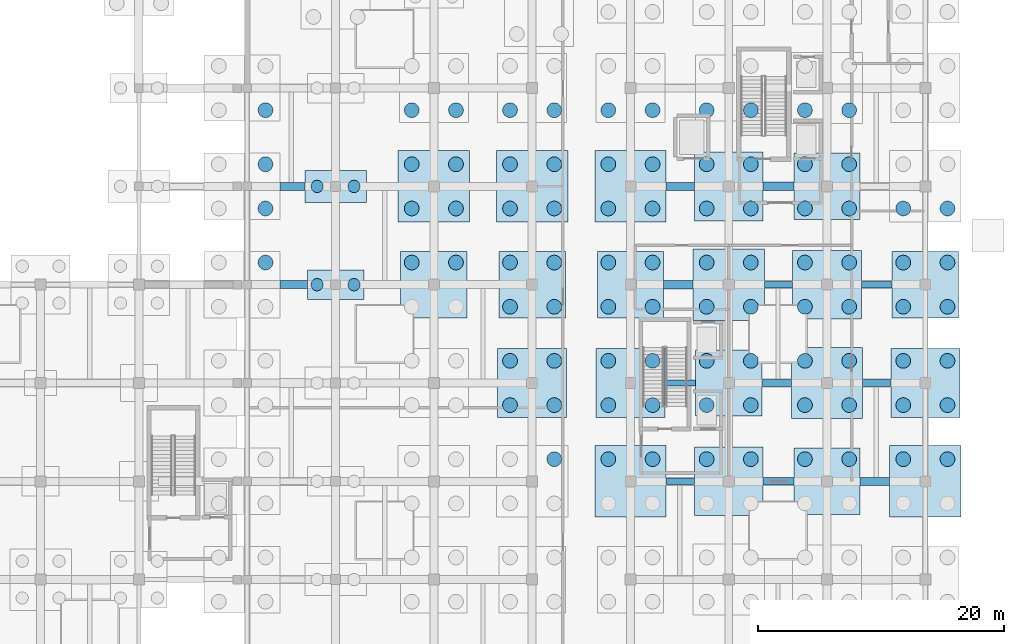
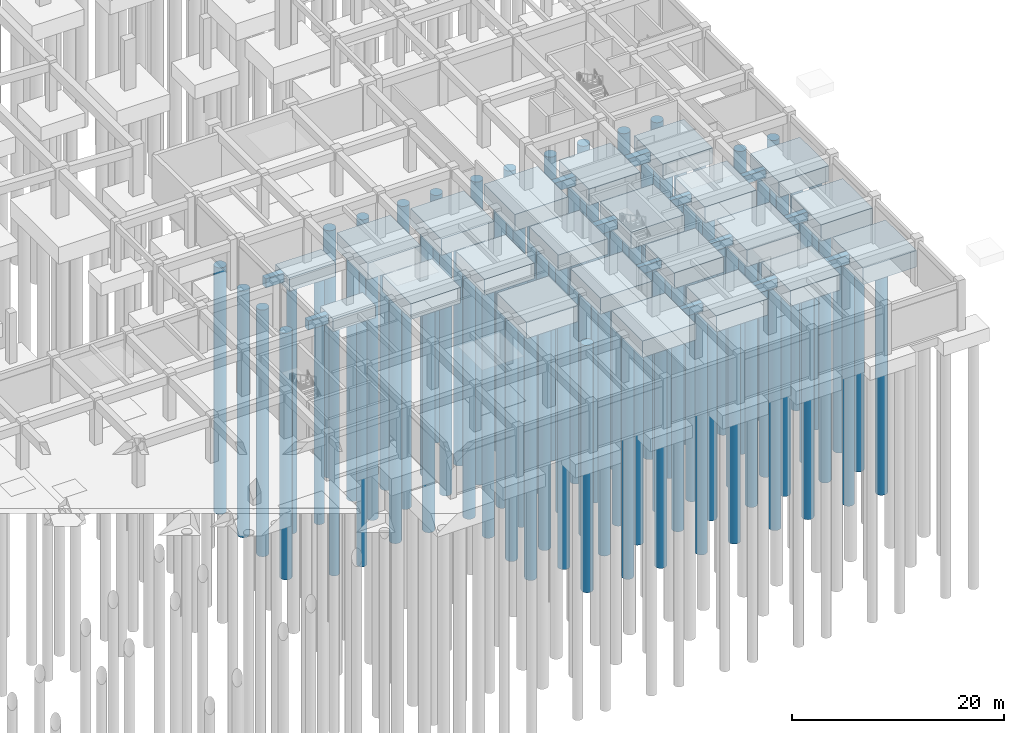
# One storey, part 7 of 45: 91 piles, 35 footings.
"""IFC4 building model written with IfcOpenShell, lengths in metres."""

from ifc_helpers import new_model, si_unit, direction, frame, origin, origin_2d, place, context, subcontext, project, spatial, rectangle, circle, extrude, material, material_profile, profile_set, type_object, element, save


model = new_model("IFC4")

# Units and contexts
model_context = context("Model", 3, precision=1e-05, world=origin(), true_north=direction((0.0, 1.0)))
body_context = subcontext(model_context, "Body", "Model", "MODEL_VIEW")
ifc_project = project(units=[si_unit("LENGTHUNIT", "METRE"), si_unit("AREAUNIT", "SQUARE_METRE"), si_unit("VOLUMEUNIT", "CUBIC_METRE"), si_unit("PLANEANGLEUNIT", "RADIAN"), si_unit("MASSUNIT", "GRAM", prefix="KILO")], contexts=[model_context])

# Site, building, storey
site_placement = place(None, origin())
site = spatial("IfcSite", under=ifc_project, at=site_placement, CompositionType="ELEMENT")
building_placement = place(site_placement, origin())
building = spatial("IfcBuilding", under=site, at=building_placement, Name="Kenh Van Central Station", CompositionType="ELEMENT")
storey_placement = place(building_placement, frame((0.0, 0.0, -5.39990234375)))
storey = spatial("IfcBuildingStorey", under=building, at=storey_placement, Name="B1", CompositionType="ELEMENT", Elevation=-5.39990234375)

# Footings
ifc_material = material(Name="Concrete C40/50", Category="concrete")
ifc_material_profile_1 = material_profile(ifc_material, rectangle(XDim=0.5, YDim=0.89990234375, at=origin_2d()), Name="RC 500x900")
ifc_profile_set_1 = profile_set([ifc_material_profile_1], Name="Concrete C40/50")
footing_type_1 = type_object("IfcFootingType", Name="FBM-500x900", PredefinedType="FOOTING_BEAM", material=ifc_profile_set_1)
footing_1_placement = place(storey_placement, frame((154.800048828125, 32.0, -0.85009765625), z_axis=(1.0, 0.0, 0.0), x_axis=(0.0, 1.0, 0.0)))
element("IfcFooting", 1, at=footing_1_placement, inside=storey, type_object=footing_type_1, Name="Ground tie beam 104", PredefinedType="FOOTING_BEAM", context=body_context, shape_type="SweptSolid", body=[
    extrude(rectangle(XDim=0.5, YDim=0.89990234375, at=origin_2d()), origin(), (0.0, 0.0, 1.0), 2.5),
])
footing_2_placement = place(storey_placement, frame((162.89990234375, 40.0, -0.85009765625), z_axis=(1.0, 0.0, 0.0), x_axis=(0.0, 1.0, 0.0)))
element("IfcFooting", 2, at=footing_2_placement, inside=storey, type_object=footing_type_1, Name="Ground tie beam 114", PredefinedType="FOOTING_BEAM", context=body_context, shape_type="SweptSolid", body=[
    extrude(rectangle(XDim=0.5, YDim=0.89990234375, at=origin_2d()), origin(), (0.0, 0.0, 1.0), 2.300048828125),
])
ifc_material_profile_2 = material_profile(ifc_material, rectangle(XDim=0.550048828125, YDim=0.949951171875, at=origin_2d()), Name="RC 550x950")
ifc_profile_set_2 = profile_set([ifc_material_profile_2], Name="Concrete C40/50")
footing_type_2 = type_object("IfcFootingType", Name="FBM-550x950", PredefinedType="FOOTING_BEAM", material=ifc_profile_set_2)
footing_3_placement = place(storey_placement, frame((154.89990234375, 24.0, -0.875), z_axis=(1.0, 0.0, 0.0), x_axis=(0.0, 1.0, 0.0)))
element("IfcFooting", 3, at=footing_3_placement, inside=storey, type_object=footing_type_2, Name="Ground tie beam 103", PredefinedType="FOOTING_BEAM", context=body_context, shape_type="SweptSolid", body=[
    extrude(rectangle(XDim=0.550048828125, YDim=0.949951171875, at=origin_2d()), origin(), (0.0, 0.0, 1.0), 2.300048828125),
])
footing_4_placement = place(storey_placement, frame((162.699951171875, 32.0, -0.875), z_axis=(1.0, 0.0, 0.0), x_axis=(0.0, 1.0, 0.0)))
element("IfcFooting", 4, at=footing_4_placement, inside=storey, type_object=footing_type_2, Name="Ground tie beam 113", PredefinedType="FOOTING_BEAM", context=body_context, shape_type="SweptSolid", body=[
    extrude(rectangle(XDim=0.550048828125, YDim=0.949951171875, at=origin_2d()), origin(), (0.0, 0.0, 1.0), 2.400146484375),
])
footing_5_placement = place(storey_placement, frame((170.800048828125, 40.0, -0.875), z_axis=(1.0, 0.0, 0.0), x_axis=(0.0, 1.0, 0.0)))
element("IfcFooting", 5, at=footing_5_placement, inside=storey, type_object=footing_type_2, Name="Ground tie beam 123", PredefinedType="FOOTING_BEAM", context=body_context, shape_type="SweptSolid", body=[
    extrude(rectangle(XDim=0.550048828125, YDim=0.949951171875, at=origin_2d()), origin(), (0.0, 0.0, 1.0), 2.5),
])
ifc_material_profile_3 = material_profile(ifc_material, rectangle(XDim=0.60009765625, YDim=1.0, at=origin_2d()), Name="RC 600x1000")
ifc_profile_set_3 = profile_set([ifc_material_profile_3], Name="Concrete C40/50")
footing_type_3 = type_object("IfcFootingType", Name="FBM-600x1000", PredefinedType="FOOTING_BEAM", material=ifc_profile_set_3)
footing_6_placement = place(storey_placement, frame((162.800048828125, 24.0, -0.900146484375), z_axis=(1.0, 0.0, 0.0), x_axis=(0.0, 1.0, 0.0)))
element("IfcFooting", 6, at=footing_6_placement, inside=storey, type_object=footing_type_3, Name="Ground tie beam 112", PredefinedType="FOOTING_BEAM", context=body_context, shape_type="SweptSolid", body=[
    extrude(rectangle(XDim=0.60009765625, YDim=1.0, at=origin_2d()), origin(), (0.0, 0.0, 1.0), 2.5),
])
footing_7_placement = place(storey_placement, frame((170.89990234375, 32.0, -0.900146484375), z_axis=(1.0, 0.0, 0.0), x_axis=(0.0, 1.0, 0.0)))
element("IfcFooting", 7, at=footing_7_placement, inside=storey, type_object=footing_type_3, Name="Ground tie beam 122", PredefinedType="FOOTING_BEAM", context=body_context, shape_type="SweptSolid", body=[
    extrude(rectangle(XDim=0.60009765625, YDim=1.0, at=origin_2d()), origin(), (0.0, 0.0, 1.0), 2.300048828125),
])
ifc_material_profile_4 = material_profile(ifc_material, rectangle(XDim=0.64990234375, YDim=1.050048828125, at=origin_2d()), Name="RC 650x1050")
ifc_profile_set_4 = profile_set([ifc_material_profile_4], Name="Concrete C40/50")
footing_type_4 = type_object("IfcFootingType", Name="FBM-650x1050", PredefinedType="FOOTING_BEAM", material=ifc_profile_set_4)
footing_8_placement = place(storey_placement, frame((123.5, 40.0, -0.925048828125), z_axis=(1.0, 0.0, 0.0), x_axis=(0.0, 1.0, 0.0)))
element("IfcFooting", 8, at=footing_8_placement, inside=storey, type_object=footing_type_4, Name="Ground tie beam 086", PredefinedType="FOOTING_BEAM", context=body_context, shape_type="SweptSolid", body=[
    extrude(rectangle(XDim=0.64990234375, YDim=1.050048828125, at=origin_2d()), origin(), (0.0, 0.0, 1.0), 2.199951171875),
])
footing_9_placement = place(storey_placement, frame((123.5, 48.0, -0.925048828125), z_axis=(1.0, 0.0, 0.0), x_axis=(0.0, 1.0, 0.0)))
element("IfcFooting", 9, at=footing_9_placement, inside=storey, type_object=footing_type_4, Name="Ground tie beam 091", PredefinedType="FOOTING_BEAM", context=body_context, shape_type="SweptSolid", body=[
    extrude(rectangle(XDim=0.64990234375, YDim=1.050048828125, at=origin_2d()), origin(), (0.0, 0.0, 1.0), 2.0),
])
footing_10_placement = place(storey_placement, frame((154.89990234375, 48.0, -0.925048828125), z_axis=(1.0, 0.0, 0.0), x_axis=(0.0, 1.0, 0.0)))
element("IfcFooting", 10, at=footing_10_placement, inside=storey, type_object=footing_type_4, Name="Ground tie beam 106", PredefinedType="FOOTING_BEAM", context=body_context, shape_type="SweptSolid", body=[
    extrude(rectangle(XDim=0.64990234375, YDim=1.050048828125, at=origin_2d()), origin(), (0.0, 0.0, 1.0), 2.300048828125),
])
footing_11_placement = place(storey_placement, frame((170.699951171875, 24.0, -0.925048828125), z_axis=(1.0, 0.0, 0.0), x_axis=(0.0, 1.0, 0.0)))
element("IfcFooting", 11, at=footing_11_placement, inside=storey, type_object=footing_type_4, Name="Ground tie beam 121", PredefinedType="FOOTING_BEAM", context=body_context, shape_type="SweptSolid", body=[
    extrude(rectangle(XDim=0.64990234375, YDim=1.050048828125, at=origin_2d()), origin(), (0.0, 0.0, 1.0), 2.400146484375),
])
ifc_material_profile_5 = material_profile(ifc_material, rectangle(XDim=0.699951171875, YDim=1.14990234375, at=origin_2d()), Name="RC 700x1150")
ifc_profile_set_5 = profile_set([ifc_material_profile_5], Name="Concrete C40/50")
footing_type_5 = type_object("IfcFootingType", Name="FBM-700x1150", PredefinedType="FOOTING_BEAM", material=ifc_profile_set_5)
footing_12_placement = place(storey_placement, frame((154.699951171875, 40.0, -0.97509765625), z_axis=(1.0, 0.0, 0.0), x_axis=(0.0, 1.0, 0.0)))
element("IfcFooting", 12, at=footing_12_placement, inside=storey, type_object=footing_type_5, Name="Ground tie beam 105", PredefinedType="FOOTING_BEAM", context=body_context, shape_type="SweptSolid", body=[
    extrude(rectangle(XDim=0.699951171875, YDim=1.14990234375, at=origin_2d()), origin(), (0.0, 0.0, 1.0), 2.400146484375),
])
footing_13_placement = place(storey_placement, frame((162.800048828125, 48.0, -0.97509765625), z_axis=(1.0, 0.0, 0.0), x_axis=(0.0, 1.0, 0.0)))
element("IfcFooting", 13, at=footing_13_placement, inside=storey, type_object=footing_type_5, Name="Ground tie beam 115", PredefinedType="FOOTING_BEAM", context=body_context, shape_type="SweptSolid", body=[
    extrude(rectangle(XDim=0.699951171875, YDim=1.14990234375, at=origin_2d()), origin(), (0.0, 0.0, 1.0), 2.5),
])
footing_type_6 = type_object("IfcFootingType", Name="FCAP-2P-4600x2400x1450", PredefinedType="PILE_CAP", material=ifc_material)
footing_14_placement = place(storey_placement, frame((128.0, 40.0, -1.85009765625), z_axis=(0.0, 0.0, 1.0), x_axis=(1.0, 0.0, 0.0)))
element("IfcFooting", 14, at=footing_14_placement, inside=storey, type_object=footing_type_6, Name="Foundation FDN-195", PredefinedType="PILE_CAP", context=body_context, shape_type="SweptSolid", body=[
    extrude(rectangle(XDim=4.60009765625, YDim=2.39990234375, at=origin_2d()), origin(), (0.0, 0.0, 1.0), 1.449951171875),
])
footing_type_7 = type_object("IfcFootingType", Name="FCAP-2P-5000x2600x1550", PredefinedType="PILE_CAP", material=ifc_material)
footing_15_placement = place(storey_placement, frame((128.0, 48.0, -1.9501953125), z_axis=(0.0, 0.0, 1.0), x_axis=(1.0, 0.0, 0.0)))
element("IfcFooting", 15, at=footing_15_placement, inside=storey, type_object=footing_type_7, Name="Foundation FDN-196", PredefinedType="PILE_CAP", context=body_context, shape_type="SweptSolid", body=[
    extrude(rectangle(XDim=5.0, YDim=2.60009765625, at=origin_2d()), origin(), (0.0, 0.0, 1.0), 1.550048828125),
])
footing_type_8 = type_object("IfcFootingType", Name="FCAP-4P-5400x5400x1800", PredefinedType="PILE_CAP", material=ifc_material)
for number, where, z_axis, x_axis, name in (
    (16, (136.0, 40.0, -2.2001953125), (0.0, 0.0, 1.0), (1.0, 0.0, 0.0), "Foundation FDN-202"),
    (17, (144.0, 40.0, -2.2001953125), (0.0, 0.0, 1.0), (1.0, 0.0, 0.0), "Foundation FDN-209"),
    (18, (152.0, 40.0, -2.2001953125), (0.0, 0.0, 1.0), (1.0, 0.0, 0.0), "Foundation FDN-216"),
    (19, (160.0, 32.0, -2.2001953125), (0.0, 0.0, 1.0), (1.0, 0.0, 0.0), "Foundation FDN-223"),
    (20, (168.0, 24.0, -2.2001953125), (0.0, 0.0, 1.0), (1.0, 0.0, 0.0), "Foundation FDN-230"),
    (21, (168.0, 48.0, -2.2001953125), (0.0, 0.0, 1.0), (1.0, 0.0, 0.0), "Foundation FDN-233"),
    (22, (176.0, 40.0, -2.2001953125), (0.0, 0.0, 1.0), (1.0, 0.0, 0.0), "Foundation FDN-240"),
):
    element("IfcFooting", number, at=place(storey_placement, frame(where, z_axis=z_axis, x_axis=x_axis)), inside=storey, type_object=footing_type_8, Name=name, PredefinedType="PILE_CAP", context=body_context, shape_type="SweptSolid", body=[
        extrude(rectangle(XDim=5.39990234375, YDim=5.39990234375, at=origin_2d()), origin(), (0.0, 0.0, 1.0), 1.800048828125),
    ])
footing_type_9 = type_object("IfcFootingType", Name="FCAP-4P-5600x5600x1850", PredefinedType="PILE_CAP", material=ifc_material)
for number, where, z_axis, x_axis, name in (
    (23, (144.0, 32.0, -2.250244140625), (0.0, 0.0, 1.0), (1.0, 0.0, 0.0), "Foundation FDN-208"),
    (24, (152.0, 32.0, -2.250244140625), (0.0, 0.0, 1.0), (1.0, 0.0, 0.0), "Foundation FDN-215"),
    (25, (160.0, 24.0, -2.250244140625), (0.0, 0.0, 1.0), (1.0, 0.0, 0.0), "Foundation FDN-222"),
    (26, (160.0, 48.0, -2.250244140625), (0.0, 0.0, 1.0), (1.0, 0.0, 0.0), "Foundation FDN-225"),
    (27, (168.0, 40.0, -2.250244140625), (0.0, 0.0, 1.0), (1.0, 0.0, 0.0), "Foundation FDN-232"),
    (28, (176.0, 32.0, -2.250244140625), (0.0, 0.0, 1.0), (1.0, 0.0, 0.0), "Foundation FDN-239"),
):
    element("IfcFooting", number, at=place(storey_placement, frame(where, z_axis=z_axis, x_axis=x_axis)), inside=storey, type_object=footing_type_9, Name=name, PredefinedType="PILE_CAP", context=body_context, shape_type="SweptSolid", body=[
        extrude(rectangle(XDim=5.60009765625, YDim=5.60009765625, at=origin_2d()), origin(), (0.0, 0.0, 1.0), 1.85009765625),
    ])
footing_type_10 = type_object("IfcFootingType", Name="FCAP-4P-5800x5800x1900", PredefinedType="PILE_CAP", material=ifc_material)
for number, where, z_axis, x_axis, name in (
    (29, (136.0, 48.0, -2.300048828125), (0.0, 0.0, 1.0), (1.0, 0.0, 0.0), "Foundation FDN-203"),
    (30, (144.0, 48.0, -2.300048828125), (0.0, 0.0, 1.0), (1.0, 0.0, 0.0), "Foundation FDN-210"),
    (31, (152.0, 24.0, -2.300048828125), (0.0, 0.0, 1.0), (1.0, 0.0, 0.0), "Foundation FDN-214"),
    (32, (152.0, 48.0, -2.300048828125), (0.0, 0.0, 1.0), (1.0, 0.0, 0.0), "Foundation FDN-217"),
    (33, (160.0, 40.0, -2.300048828125), (0.0, 0.0, 1.0), (1.0, 0.0, 0.0), "Foundation FDN-224"),
    (34, (168.0, 32.0, -2.300048828125), (0.0, 0.0, 1.0), (1.0, 0.0, 0.0), "Foundation FDN-231"),
    (35, (176.0, 24.0, -2.300048828125), (0.0, 0.0, 1.0), (1.0, 0.0, 0.0), "Foundation FDN-238"),
):
    element("IfcFooting", number, at=place(storey_placement, frame(where, z_axis=z_axis, x_axis=x_axis)), inside=storey, type_object=footing_type_10, Name=name, PredefinedType="PILE_CAP", context=body_context, shape_type="SweptSolid", body=[
        extrude(rectangle(XDim=5.800048828125, YDim=5.800048828125, at=origin_2d()), origin(), (0.0, 0.0, 1.0), 1.89990234375),
    ])

# Piles
ifc_material_profile_6 = material_profile(ifc_material, circle(Radius=0.5, at=origin_2d()), Name="PILE D1000")
ifc_profile_set_6 = profile_set([ifc_material_profile_6], Name="Concrete C40/50")
pile_type_1 = type_object("IfcPileType", Name="PILE-BORED-1000", PredefinedType="BORED", material=ifc_profile_set_6)
for number, where, z_axis, x_axis, name in (
    (36, (126.5, 40.0, -1.75), (0.0, 0.0, -1.0), (1.0, 0.0, 0.0), "Bored pile 0458"),
    (37, (129.5, 40.0, -1.75), (0.0, 0.0, -1.0), (1.0, 0.0, 0.0), "Bored pile 0459"),
):
    element("IfcPile", number, at=place(storey_placement, frame(where, z_axis=z_axis, x_axis=x_axis)), inside=storey, type_object=pile_type_1, Name=name, PredefinedType="BORED", context=body_context, shape_type="SweptSolid", body=[
        extrude(circle(Radius=0.5, at=origin_2d()), origin(), (0.0, 0.0, 1.0), 28.85009765625),
    ])
for number, where, z_axis, x_axis, name in (
    (38, (126.5, 48.0, -1.85009765625), (0.0, 0.0, -1.0), (1.0, 0.0, 0.0), "Bored pile 0460"),
    (39, (129.5, 48.0, -1.85009765625), (0.0, 0.0, -1.0), (1.0, 0.0, 0.0), "Bored pile 0461"),
):
    element("IfcPile", number, at=place(storey_placement, frame(where, z_axis=z_axis, x_axis=x_axis)), inside=storey, type_object=pile_type_1, Name=name, PredefinedType="BORED", context=body_context, shape_type="SweptSolid", body=[
        extrude(circle(Radius=0.5, at=origin_2d()), origin(), (0.0, 0.0, 1.0), 28.75),
    ])
ifc_material_profile_7 = material_profile(ifc_material, circle(Radius=0.60009765625, at=origin_2d()), Name="PILE D1200")
ifc_profile_set_7 = profile_set([ifc_material_profile_7], Name="Concrete C40/50")
pile_type_2 = type_object("IfcPileType", Name="PILE-BORED-1200", PredefinedType="BORED", material=ifc_profile_set_7)
for number, where, z_axis, x_axis, name in (
    (40, (122.300048828125, 41.800048828125, -2.25), (0.0, 0.0, -1.0), (1.0, 0.0, 0.0), "Bored pile 0399"),
    (41, (122.300048828125, 46.199951171875, -2.25), (0.0, 0.0, -1.0), (1.0, 0.0, 0.0), "Bored pile 0410"),
    (42, (122.300048828125, 49.800048828125, -2.25), (0.0, 0.0, -1.0), (1.0, 0.0, 0.0), "Bored pile 0411"),
    (43, (122.300048828125, 54.199951171875, -2.25), (0.0, 0.0, -1.0), (1.0, 0.0, 0.0), "Bored pile 0414"),
):
    element("IfcPile", number, at=place(storey_placement, frame(where, z_axis=z_axis, x_axis=x_axis)), inside=storey, type_object=pile_type_2, Name=name, PredefinedType="BORED", context=body_context, shape_type="SweptSolid", body=[
        extrude(circle(Radius=0.60009765625, at=origin_2d()), origin(), (0.0, 0.0, 1.0), 28.35009765625),
    ])
for number, where, z_axis, x_axis, name in (
    (44, (134.199951171875, 41.800048828125, -2.10009765625), (0.0, 0.0, -1.0), (1.0, 0.0, 0.0), "Bored pile 0479"),
    (45, (137.800048828125, 41.800048828125, -2.10009765625), (0.0, 0.0, -1.0), (1.0, 0.0, 0.0), "Bored pile 0481"),
):
    element("IfcPile", number, at=place(storey_placement, frame(where, z_axis=z_axis, x_axis=x_axis)), inside=storey, type_object=pile_type_2, Name=name, PredefinedType="BORED", context=body_context, shape_type="SweptSolid", body=[
        extrude(circle(Radius=0.60009765625, at=origin_2d()), origin(), (0.0, 0.0, 1.0), 28.5),
    ])
for number, where, z_axis, x_axis, name in (
    (46, (134.199951171875, 46.199951171875, -2.2001953125), (0.0, 0.0, -1.0), (1.0, 0.0, 0.0), "Bored pile 0482"),
    (47, (134.199951171875, 49.800048828125, -2.2001953125), (0.0, 0.0, -1.0), (1.0, 0.0, 0.0), "Bored pile 0483"),
    (48, (137.800048828125, 46.199951171875, -2.2001953125), (0.0, 0.0, -1.0), (1.0, 0.0, 0.0), "Bored pile 0484"),
    (49, (137.800048828125, 49.800048828125, -2.2001953125), (0.0, 0.0, -1.0), (1.0, 0.0, 0.0), "Bored pile 0485"),
):
    element("IfcPile", number, at=place(storey_placement, frame(where, z_axis=z_axis, x_axis=x_axis)), inside=storey, type_object=pile_type_2, Name=name, PredefinedType="BORED", context=body_context, shape_type="SweptSolid", body=[
        extrude(circle(Radius=0.60009765625, at=origin_2d()), origin(), (0.0, 0.0, 1.0), 28.39990234375),
    ])
for number, where, z_axis, x_axis, name in (
    (50, (134.199951171875, 54.199951171875, -2.150146484375), (0.0, 0.0, -1.0), (1.0, 0.0, 0.0), "Bored pile 0486"),
    (51, (137.800048828125, 54.199951171875, -2.150146484375), (0.0, 0.0, -1.0), (1.0, 0.0, 0.0), "Bored pile 0488"),
):
    element("IfcPile", number, at=place(storey_placement, frame(where, z_axis=z_axis, x_axis=x_axis)), inside=storey, type_object=pile_type_2, Name=name, PredefinedType="BORED", context=body_context, shape_type="SweptSolid", body=[
        extrude(circle(Radius=0.60009765625, at=origin_2d()), origin(), (0.0, 0.0, 1.0), 28.449951171875),
    ])
pile_placement = place(storey_placement, frame((145.800048828125, 25.800048828125, -2.2001953125), z_axis=(0.0, 0.0, -1.0), x_axis=(1.0, 0.0, 0.0)))
element("IfcPile", 52, at=pile_placement, inside=storey, type_object=pile_type_2, Name="Bored pile 0499", PredefinedType="BORED", context=body_context, shape_type="SweptSolid", body=[
    extrude(circle(Radius=0.60009765625, at=origin_2d()), origin(), (0.0, 0.0, 1.0), 28.39990234375),
])
for number, where, z_axis, x_axis, name in (
    (53, (142.199951171875, 30.199951171875, -2.150146484375), (0.0, 0.0, -1.0), (1.0, 0.0, 0.0), "Bored pile 0500"),
    (54, (142.199951171875, 33.800048828125, -2.150146484375), (0.0, 0.0, -1.0), (1.0, 0.0, 0.0), "Bored pile 0501"),
    (55, (145.800048828125, 30.199951171875, -2.150146484375), (0.0, 0.0, -1.0), (1.0, 0.0, 0.0), "Bored pile 0502"),
    (56, (145.800048828125, 33.800048828125, -2.150146484375), (0.0, 0.0, -1.0), (1.0, 0.0, 0.0), "Bored pile 0503"),
):
    element("IfcPile", number, at=place(storey_placement, frame(where, z_axis=z_axis, x_axis=x_axis)), inside=storey, type_object=pile_type_2, Name=name, PredefinedType="BORED", context=body_context, shape_type="SweptSolid", body=[
        extrude(circle(Radius=0.60009765625, at=origin_2d()), origin(), (0.0, 0.0, 1.0), 28.449951171875),
    ])
for number, where, z_axis, x_axis, name in (
    (57, (142.199951171875, 38.199951171875, -2.10009765625), (0.0, 0.0, -1.0), (1.0, 0.0, 0.0), "Bored pile 0504"),
    (58, (142.199951171875, 41.800048828125, -2.10009765625), (0.0, 0.0, -1.0), (1.0, 0.0, 0.0), "Bored pile 0505"),
    (59, (145.800048828125, 38.199951171875, -2.10009765625), (0.0, 0.0, -1.0), (1.0, 0.0, 0.0), "Bored pile 0506"),
    (60, (145.800048828125, 41.800048828125, -2.10009765625), (0.0, 0.0, -1.0), (1.0, 0.0, 0.0), "Bored pile 0507"),
):
    element("IfcPile", number, at=place(storey_placement, frame(where, z_axis=z_axis, x_axis=x_axis)), inside=storey, type_object=pile_type_2, Name=name, PredefinedType="BORED", context=body_context, shape_type="SweptSolid", body=[
        extrude(circle(Radius=0.60009765625, at=origin_2d()), origin(), (0.0, 0.0, 1.0), 28.5),
    ])
for number, where, z_axis, x_axis, name in (
    (61, (142.199951171875, 46.199951171875, -2.2001953125), (0.0, 0.0, -1.0), (1.0, 0.0, 0.0), "Bored pile 0508"),
    (62, (142.199951171875, 49.800048828125, -2.2001953125), (0.0, 0.0, -1.0), (1.0, 0.0, 0.0), "Bored pile 0509"),
    (63, (145.800048828125, 46.199951171875, -2.2001953125), (0.0, 0.0, -1.0), (1.0, 0.0, 0.0), "Bored pile 0510"),
    (64, (145.800048828125, 49.800048828125, -2.2001953125), (0.0, 0.0, -1.0), (1.0, 0.0, 0.0), "Bored pile 0511"),
):
    element("IfcPile", number, at=place(storey_placement, frame(where, z_axis=z_axis, x_axis=x_axis)), inside=storey, type_object=pile_type_2, Name=name, PredefinedType="BORED", context=body_context, shape_type="SweptSolid", body=[
        extrude(circle(Radius=0.60009765625, at=origin_2d()), origin(), (0.0, 0.0, 1.0), 28.39990234375),
    ])
for number, where, z_axis, x_axis, name in (
    (65, (142.199951171875, 54.199951171875, -2.150146484375), (0.0, 0.0, -1.0), (1.0, 0.0, 0.0), "Bored pile 0512"),
    (66, (145.800048828125, 54.199951171875, -2.150146484375), (0.0, 0.0, -1.0), (1.0, 0.0, 0.0), "Bored pile 0514"),
):
    element("IfcPile", number, at=place(storey_placement, frame(where, z_axis=z_axis, x_axis=x_axis)), inside=storey, type_object=pile_type_2, Name=name, PredefinedType="BORED", context=body_context, shape_type="SweptSolid", body=[
        extrude(circle(Radius=0.60009765625, at=origin_2d()), origin(), (0.0, 0.0, 1.0), 28.449951171875),
    ])
for number, where, z_axis, x_axis, name in (
    (67, (150.199951171875, 25.800048828125, -2.2001953125), (0.0, 0.0, -1.0), (1.0, 0.0, 0.0), "Bored pile 0523"),
    (68, (153.800048828125, 25.800048828125, -2.2001953125), (0.0, 0.0, -1.0), (1.0, 0.0, 0.0), "Bored pile 0525"),
):
    element("IfcPile", number, at=place(storey_placement, frame(where, z_axis=z_axis, x_axis=x_axis)), inside=storey, type_object=pile_type_2, Name=name, PredefinedType="BORED", context=body_context, shape_type="SweptSolid", body=[
        extrude(circle(Radius=0.60009765625, at=origin_2d()), origin(), (0.0, 0.0, 1.0), 28.39990234375),
    ])
for number, where, z_axis, x_axis, name in (
    (69, (150.199951171875, 30.199951171875, -2.150146484375), (0.0, 0.0, -1.0), (1.0, 0.0, 0.0), "Bored pile 0526"),
    (70, (150.199951171875, 33.800048828125, -2.150146484375), (0.0, 0.0, -1.0), (1.0, 0.0, 0.0), "Bored pile 0527"),
    (71, (153.800048828125, 30.199951171875, -2.150146484375), (0.0, 0.0, -1.0), (1.0, 0.0, 0.0), "Bored pile 0528"),
    (72, (153.800048828125, 33.800048828125, -2.150146484375), (0.0, 0.0, -1.0), (1.0, 0.0, 0.0), "Bored pile 0529"),
):
    element("IfcPile", number, at=place(storey_placement, frame(where, z_axis=z_axis, x_axis=x_axis)), inside=storey, type_object=pile_type_2, Name=name, PredefinedType="BORED", context=body_context, shape_type="SweptSolid", body=[
        extrude(circle(Radius=0.60009765625, at=origin_2d()), origin(), (0.0, 0.0, 1.0), 28.449951171875),
    ])
for number, where, z_axis, x_axis, name in (
    (73, (150.199951171875, 38.199951171875, -2.10009765625), (0.0, 0.0, -1.0), (1.0, 0.0, 0.0), "Bored pile 0530"),
    (74, (150.199951171875, 41.800048828125, -2.10009765625), (0.0, 0.0, -1.0), (1.0, 0.0, 0.0), "Bored pile 0531"),
    (75, (153.800048828125, 38.199951171875, -2.10009765625), (0.0, 0.0, -1.0), (1.0, 0.0, 0.0), "Bored pile 0532"),
    (76, (153.800048828125, 41.800048828125, -2.10009765625), (0.0, 0.0, -1.0), (1.0, 0.0, 0.0), "Bored pile 0533"),
):
    element("IfcPile", number, at=place(storey_placement, frame(where, z_axis=z_axis, x_axis=x_axis)), inside=storey, type_object=pile_type_2, Name=name, PredefinedType="BORED", context=body_context, shape_type="SweptSolid", body=[
        extrude(circle(Radius=0.60009765625, at=origin_2d()), origin(), (0.0, 0.0, 1.0), 28.5),
    ])
for number, where, z_axis, x_axis, name in (
    (77, (150.199951171875, 46.199951171875, -2.2001953125), (0.0, 0.0, -1.0), (1.0, 0.0, 0.0), "Bored pile 0534"),
    (78, (150.199951171875, 49.800048828125, -2.2001953125), (0.0, 0.0, -1.0), (1.0, 0.0, 0.0), "Bored pile 0535"),
    (79, (153.800048828125, 46.199951171875, -2.2001953125), (0.0, 0.0, -1.0), (1.0, 0.0, 0.0), "Bored pile 0536"),
    (80, (153.800048828125, 49.800048828125, -2.2001953125), (0.0, 0.0, -1.0), (1.0, 0.0, 0.0), "Bored pile 0537"),
):
    element("IfcPile", number, at=place(storey_placement, frame(where, z_axis=z_axis, x_axis=x_axis)), inside=storey, type_object=pile_type_2, Name=name, PredefinedType="BORED", context=body_context, shape_type="SweptSolid", body=[
        extrude(circle(Radius=0.60009765625, at=origin_2d()), origin(), (0.0, 0.0, 1.0), 28.39990234375),
    ])
for number, where, z_axis, x_axis, name in (
    (81, (150.199951171875, 54.199951171875, -2.150146484375), (0.0, 0.0, -1.0), (1.0, 0.0, 0.0), "Bored pile 0538"),
    (82, (153.800048828125, 54.199951171875, -2.150146484375), (0.0, 0.0, -1.0), (1.0, 0.0, 0.0), "Bored pile 0540"),
    (83, (158.199951171875, 25.800048828125, -2.150146484375), (0.0, 0.0, -1.0), (1.0, 0.0, 0.0), "Bored pile 0553"),
    (84, (161.800048828125, 25.800048828125, -2.150146484375), (0.0, 0.0, -1.0), (1.0, 0.0, 0.0), "Bored pile 0555"),
):
    element("IfcPile", number, at=place(storey_placement, frame(where, z_axis=z_axis, x_axis=x_axis)), inside=storey, type_object=pile_type_2, Name=name, PredefinedType="BORED", context=body_context, shape_type="SweptSolid", body=[
        extrude(circle(Radius=0.60009765625, at=origin_2d()), origin(), (0.0, 0.0, 1.0), 28.449951171875),
    ])
for number, where, z_axis, x_axis, name in (
    (85, (158.199951171875, 30.199951171875, -2.10009765625), (0.0, 0.0, -1.0), (1.0, 0.0, 0.0), "Bored pile 0556"),
    (86, (158.199951171875, 33.800048828125, -2.10009765625), (0.0, 0.0, -1.0), (1.0, 0.0, 0.0), "Bored pile 0557"),
    (87, (161.800048828125, 30.199951171875, -2.10009765625), (0.0, 0.0, -1.0), (1.0, 0.0, 0.0), "Bored pile 0558"),
    (88, (161.800048828125, 33.800048828125, -2.10009765625), (0.0, 0.0, -1.0), (1.0, 0.0, 0.0), "Bored pile 0559"),
):
    element("IfcPile", number, at=place(storey_placement, frame(where, z_axis=z_axis, x_axis=x_axis)), inside=storey, type_object=pile_type_2, Name=name, PredefinedType="BORED", context=body_context, shape_type="SweptSolid", body=[
        extrude(circle(Radius=0.60009765625, at=origin_2d()), origin(), (0.0, 0.0, 1.0), 28.5),
    ])
for number, where, z_axis, x_axis, name in (
    (89, (158.199951171875, 38.199951171875, -2.2001953125), (0.0, 0.0, -1.0), (1.0, 0.0, 0.0), "Bored pile 0560"),
    (90, (158.199951171875, 41.800048828125, -2.2001953125), (0.0, 0.0, -1.0), (1.0, 0.0, 0.0), "Bored pile 0561"),
    (91, (161.800048828125, 38.199951171875, -2.2001953125), (0.0, 0.0, -1.0), (1.0, 0.0, 0.0), "Bored pile 0562"),
    (92, (161.800048828125, 41.800048828125, -2.2001953125), (0.0, 0.0, -1.0), (1.0, 0.0, 0.0), "Bored pile 0563"),
):
    element("IfcPile", number, at=place(storey_placement, frame(where, z_axis=z_axis, x_axis=x_axis)), inside=storey, type_object=pile_type_2, Name=name, PredefinedType="BORED", context=body_context, shape_type="SweptSolid", body=[
        extrude(circle(Radius=0.60009765625, at=origin_2d()), origin(), (0.0, 0.0, 1.0), 28.39990234375),
    ])
for number, where, z_axis, x_axis, name in (
    (93, (158.199951171875, 46.199951171875, -2.150146484375), (0.0, 0.0, -1.0), (1.0, 0.0, 0.0), "Bored pile 0564"),
    (94, (158.199951171875, 49.800048828125, -2.150146484375), (0.0, 0.0, -1.0), (1.0, 0.0, 0.0), "Bored pile 0565"),
    (95, (161.800048828125, 46.199951171875, -2.150146484375), (0.0, 0.0, -1.0), (1.0, 0.0, 0.0), "Bored pile 0566"),
    (96, (161.800048828125, 49.800048828125, -2.150146484375), (0.0, 0.0, -1.0), (1.0, 0.0, 0.0), "Bored pile 0567"),
):
    element("IfcPile", number, at=place(storey_placement, frame(where, z_axis=z_axis, x_axis=x_axis)), inside=storey, type_object=pile_type_2, Name=name, PredefinedType="BORED", context=body_context, shape_type="SweptSolid", body=[
        extrude(circle(Radius=0.60009765625, at=origin_2d()), origin(), (0.0, 0.0, 1.0), 28.449951171875),
    ])
for number, where, z_axis, x_axis, name in (
    (97, (158.199951171875, 54.199951171875, -2.10009765625), (0.0, 0.0, -1.0), (1.0, 0.0, 0.0), "Bored pile 0568"),
    (98, (161.800048828125, 54.199951171875, -2.10009765625), (0.0, 0.0, -1.0), (1.0, 0.0, 0.0), "Bored pile 0570"),
    (99, (166.199951171875, 25.800048828125, -2.10009765625), (0.0, 0.0, -1.0), (1.0, 0.0, 0.0), "Bored pile 0583"),
    (100, (169.800048828125, 25.800048828125, -2.10009765625), (0.0, 0.0, -1.0), (1.0, 0.0, 0.0), "Bored pile 0585"),
):
    element("IfcPile", number, at=place(storey_placement, frame(where, z_axis=z_axis, x_axis=x_axis)), inside=storey, type_object=pile_type_2, Name=name, PredefinedType="BORED", context=body_context, shape_type="SweptSolid", body=[
        extrude(circle(Radius=0.60009765625, at=origin_2d()), origin(), (0.0, 0.0, 1.0), 28.5),
    ])
for number, where, z_axis, x_axis, name in (
    (101, (166.199951171875, 30.199951171875, -2.2001953125), (0.0, 0.0, -1.0), (1.0, 0.0, 0.0), "Bored pile 0586"),
    (102, (166.199951171875, 33.800048828125, -2.2001953125), (0.0, 0.0, -1.0), (1.0, 0.0, 0.0), "Bored pile 0587"),
    (103, (169.800048828125, 30.199951171875, -2.2001953125), (0.0, 0.0, -1.0), (1.0, 0.0, 0.0), "Bored pile 0588"),
    (104, (169.800048828125, 33.800048828125, -2.2001953125), (0.0, 0.0, -1.0), (1.0, 0.0, 0.0), "Bored pile 0589"),
):
    element("IfcPile", number, at=place(storey_placement, frame(where, z_axis=z_axis, x_axis=x_axis)), inside=storey, type_object=pile_type_2, Name=name, PredefinedType="BORED", context=body_context, shape_type="SweptSolid", body=[
        extrude(circle(Radius=0.60009765625, at=origin_2d()), origin(), (0.0, 0.0, 1.0), 28.39990234375),
    ])
for number, where, z_axis, x_axis, name in (
    (105, (166.199951171875, 38.199951171875, -2.150146484375), (0.0, 0.0, -1.0), (1.0, 0.0, 0.0), "Bored pile 0590"),
    (106, (166.199951171875, 41.800048828125, -2.150146484375), (0.0, 0.0, -1.0), (1.0, 0.0, 0.0), "Bored pile 0591"),
    (107, (169.800048828125, 38.199951171875, -2.150146484375), (0.0, 0.0, -1.0), (1.0, 0.0, 0.0), "Bored pile 0592"),
    (108, (169.800048828125, 41.800048828125, -2.150146484375), (0.0, 0.0, -1.0), (1.0, 0.0, 0.0), "Bored pile 0593"),
):
    element("IfcPile", number, at=place(storey_placement, frame(where, z_axis=z_axis, x_axis=x_axis)), inside=storey, type_object=pile_type_2, Name=name, PredefinedType="BORED", context=body_context, shape_type="SweptSolid", body=[
        extrude(circle(Radius=0.60009765625, at=origin_2d()), origin(), (0.0, 0.0, 1.0), 28.449951171875),
    ])
for number, where, z_axis, x_axis, name in (
    (109, (166.199951171875, 46.199951171875, -2.10009765625), (0.0, 0.0, -1.0), (1.0, 0.0, 0.0), "Bored pile 0594"),
    (110, (166.199951171875, 49.800048828125, -2.10009765625), (0.0, 0.0, -1.0), (1.0, 0.0, 0.0), "Bored pile 0595"),
    (111, (169.800048828125, 46.199951171875, -2.10009765625), (0.0, 0.0, -1.0), (1.0, 0.0, 0.0), "Bored pile 0596"),
    (112, (169.800048828125, 49.800048828125, -2.10009765625), (0.0, 0.0, -1.0), (1.0, 0.0, 0.0), "Bored pile 0597"),
):
    element("IfcPile", number, at=place(storey_placement, frame(where, z_axis=z_axis, x_axis=x_axis)), inside=storey, type_object=pile_type_2, Name=name, PredefinedType="BORED", context=body_context, shape_type="SweptSolid", body=[
        extrude(circle(Radius=0.60009765625, at=origin_2d()), origin(), (0.0, 0.0, 1.0), 28.5),
    ])
for number, where, z_axis, x_axis, name in (
    (113, (166.199951171875, 54.199951171875, -2.2001953125), (0.0, 0.0, -1.0), (1.0, 0.0, 0.0), "Bored pile 0598"),
    (114, (169.800048828125, 54.199951171875, -2.2001953125), (0.0, 0.0, -1.0), (1.0, 0.0, 0.0), "Bored pile 0600"),
    (115, (174.199951171875, 25.800048828125, -2.2001953125), (0.0, 0.0, -1.0), (1.0, 0.0, 0.0), "Bored pile 0613"),
    (116, (177.800048828125, 25.800048828125, -2.2001953125), (0.0, 0.0, -1.0), (1.0, 0.0, 0.0), "Bored pile 0615"),
):
    element("IfcPile", number, at=place(storey_placement, frame(where, z_axis=z_axis, x_axis=x_axis)), inside=storey, type_object=pile_type_2, Name=name, PredefinedType="BORED", context=body_context, shape_type="SweptSolid", body=[
        extrude(circle(Radius=0.60009765625, at=origin_2d()), origin(), (0.0, 0.0, 1.0), 28.39990234375),
    ])
for number, where, z_axis, x_axis, name in (
    (117, (174.199951171875, 30.199951171875, -2.150146484375), (0.0, 0.0, -1.0), (1.0, 0.0, 0.0), "Bored pile 0616"),
    (118, (174.199951171875, 33.800048828125, -2.150146484375), (0.0, 0.0, -1.0), (1.0, 0.0, 0.0), "Bored pile 0617"),
    (119, (177.800048828125, 30.199951171875, -2.150146484375), (0.0, 0.0, -1.0), (1.0, 0.0, 0.0), "Bored pile 0618"),
    (120, (177.800048828125, 33.800048828125, -2.150146484375), (0.0, 0.0, -1.0), (1.0, 0.0, 0.0), "Bored pile 0619"),
):
    element("IfcPile", number, at=place(storey_placement, frame(where, z_axis=z_axis, x_axis=x_axis)), inside=storey, type_object=pile_type_2, Name=name, PredefinedType="BORED", context=body_context, shape_type="SweptSolid", body=[
        extrude(circle(Radius=0.60009765625, at=origin_2d()), origin(), (0.0, 0.0, 1.0), 28.449951171875),
    ])
for number, where, z_axis, x_axis, name in (
    (121, (174.199951171875, 38.199951171875, -2.10009765625), (0.0, 0.0, -1.0), (1.0, 0.0, 0.0), "Bored pile 0620"),
    (122, (174.199951171875, 41.800048828125, -2.10009765625), (0.0, 0.0, -1.0), (1.0, 0.0, 0.0), "Bored pile 0621"),
    (123, (177.800048828125, 38.199951171875, -2.10009765625), (0.0, 0.0, -1.0), (1.0, 0.0, 0.0), "Bored pile 0622"),
    (124, (177.800048828125, 41.800048828125, -2.10009765625), (0.0, 0.0, -1.0), (1.0, 0.0, 0.0), "Bored pile 0623"),
):
    element("IfcPile", number, at=place(storey_placement, frame(where, z_axis=z_axis, x_axis=x_axis)), inside=storey, type_object=pile_type_2, Name=name, PredefinedType="BORED", context=body_context, shape_type="SweptSolid", body=[
        extrude(circle(Radius=0.60009765625, at=origin_2d()), origin(), (0.0, 0.0, 1.0), 28.5),
    ])
for number, where, z_axis, x_axis, name in (
    (125, (174.199951171875, 46.199951171875, -2.2001953125), (0.0, 0.0, -1.0), (1.0, 0.0, 0.0), "Bored pile 0624"),
    (126, (177.800048828125, 46.199951171875, -2.2001953125), (0.0, 0.0, -1.0), (1.0, 0.0, 0.0), "Bored pile 0626"),
):
    element("IfcPile", number, at=place(storey_placement, frame(where, z_axis=z_axis, x_axis=x_axis)), inside=storey, type_object=pile_type_2, Name=name, PredefinedType="BORED", context=body_context, shape_type="SweptSolid", body=[
        extrude(circle(Radius=0.60009765625, at=origin_2d()), origin(), (0.0, 0.0, 1.0), 28.39990234375),
    ])

save(model, "model.ifc")
